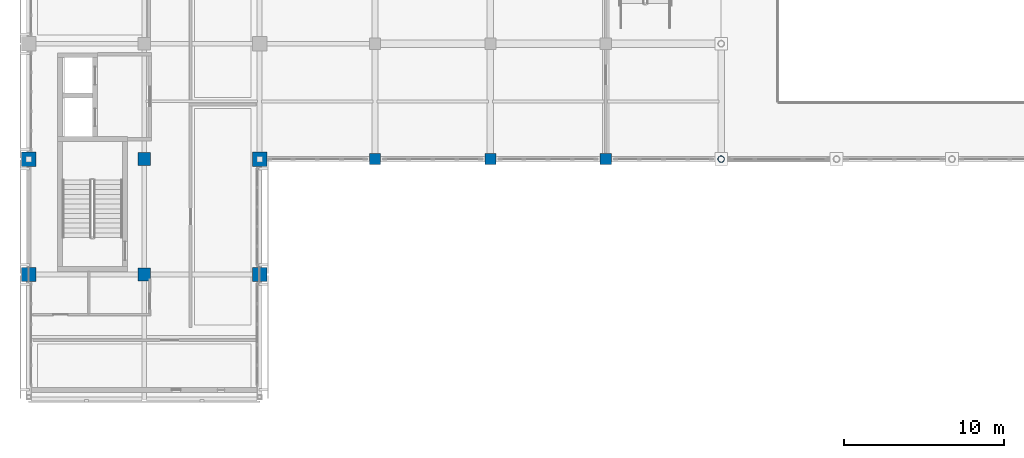
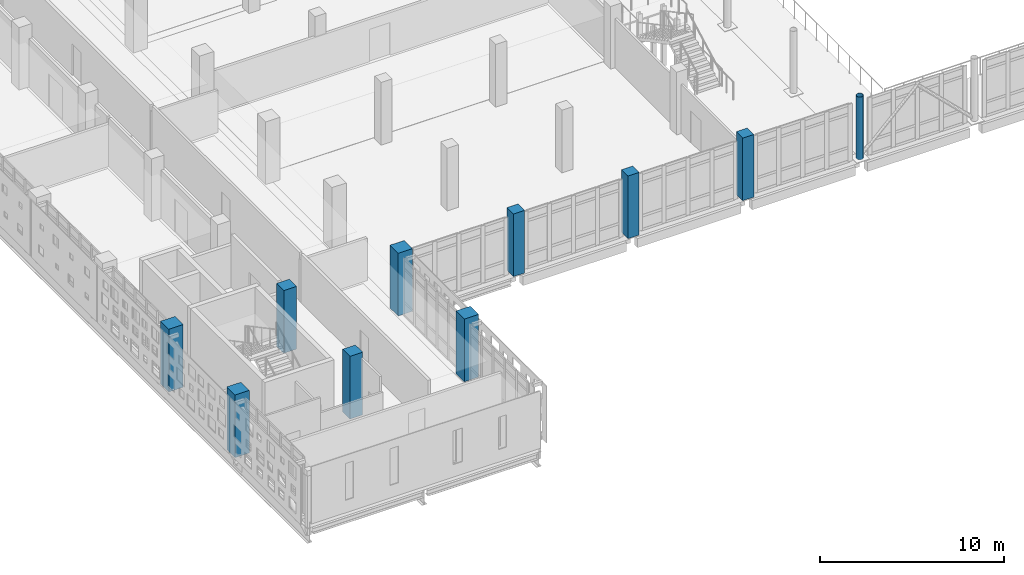
# One storey, part 1 of 62: 10 columns.
"""IFC4 building model written with IfcOpenShell, lengths in metres."""

from ifc_helpers import new_model, si_unit, direction, frame, origin, origin_2d, place, context, subcontext, project, spatial, rectangle, hollow_circle, extrude, material, material_profile, profile_set, type_object, element, save


model = new_model("IFC4")

# Units and contexts
model_context = context("Model", 3, precision=1e-05, world=origin(), true_north=direction((0.0, 1.0)))
body_context = subcontext(model_context, "Body", "Model", "MODEL_VIEW")
ifc_project = project(units=[si_unit("LENGTHUNIT", "METRE"), si_unit("AREAUNIT", "SQUARE_METRE"), si_unit("VOLUMEUNIT", "CUBIC_METRE"), si_unit("PLANEANGLEUNIT", "RADIAN"), si_unit("MASSUNIT", "GRAM", prefix="KILO")], contexts=[model_context])

# Site, building, storey
site_placement = place(None, origin())
site = spatial("IfcSite", under=ifc_project, at=site_placement, CompositionType="ELEMENT")
building_placement = place(site_placement, origin())
building = spatial("IfcBuilding", under=site, at=building_placement, Name="Valkovuoma Quantum and Materials Research Institute", CompositionType="ELEMENT")
storey_placement = place(building_placement, frame((0.0, 0.0, 8.9599609375)))
storey = spatial("IfcBuildingStorey", under=building, at=storey_placement, Name="L02", CompositionType="ELEMENT", Elevation=8.9599609375)

# Columns
ifc_material_1 = material(Name="Steel S355J2H", Category="steel")
ifc_material_profile_1 = material_profile(ifc_material_1, hollow_circle(Radius=0.203125, WallThickness=0.01611328125, at=origin_2d()), Name="Steel S355J2H")
ifc_profile_set_1 = profile_set([ifc_material_profile_1], Name="Steel S355J2H")
column_type_1 = type_object("IfcColumnType", Name="Col-C-CHS406", PredefinedType="COLUMN", material=ifc_profile_set_1)
column_placement = place(storey_placement, frame((43.199951171875, 36.0, 0.0), z_axis=(0.0, 0.0, 1.0), x_axis=(1.0, 0.0, 0.0)))
element("IfcColumn", 1, at=column_placement, inside=storey, type_object=column_type_1, Name="L02 column 07F", PredefinedType="COLUMN", context=body_context, shape_type="SweptSolid", body=[
    extrude(hollow_circle(Radius=0.203125, WallThickness=0.01611328125, at=origin_2d()), origin(), (0.0, 0.0, 1.0), 4.16015625),
])
ifc_material_2 = material(Name="Concrete C40/50", Category="concrete")
ifc_material_profile_2 = material_profile(ifc_material_2, rectangle(XDim=0.699951171875, YDim=0.699951171875, at=origin_2d()), Name="Concrete C40/50")
ifc_profile_set_2 = profile_set([ifc_material_profile_2], Name="Concrete C40/50")
column_type_2 = type_object("IfcColumnType", Name="Col-C-RC700", PredefinedType="COLUMN", material=ifc_profile_set_2)
for number, where, z_axis, x_axis, name in (
    (2, (21.60009765625, 36.0, 0.0), (0.0, 0.0, 1.0), (1.0, 0.0, 0.0), "L02 column 04F"),
    (3, (28.800048828125, 36.0, 0.0), (0.0, 0.0, 1.0), (1.0, 0.0, 0.0), "L02 column 05F"),
    (4, (36.0, 36.0, 0.0), (0.0, 0.0, 1.0), (1.0, 0.0, 0.0), "L02 column 06F"),
):
    element("IfcColumn", number, at=place(storey_placement, frame(where, z_axis=z_axis, x_axis=x_axis)), inside=storey, type_object=column_type_2, Name=name, PredefinedType="COLUMN", context=body_context, shape_type="SweptSolid", body=[
        extrude(rectangle(XDim=0.699951171875, YDim=0.699951171875, at=origin_2d()), origin(), (0.0, 0.0, 1.0), 4.16015625),
    ])
ifc_material_3 = material(Name="Concrete C50/60", Category="concrete")
ifc_material_profile_3 = material_profile(ifc_material_3, rectangle(XDim=0.800048828125, YDim=0.800048828125, at=origin_2d()), Name="Concrete C50/60")
ifc_profile_set_3 = profile_set([ifc_material_profile_3], Name="Concrete C50/60")
column_type_3 = type_object("IfcColumnType", Name="Col-C-RC800", PredefinedType="COLUMN", material=ifc_profile_set_3)
for number, where, z_axis, x_axis, name in (
    (5, (7.199951171875, 28.800048828125, 0.0), (0.0, 0.0, 1.0), (1.0, 0.0, 0.0), "L02 column 02E"),
    (6, (7.199951171875, 36.0, 0.0), (0.0, 0.0, 1.0), (1.0, 0.0, 0.0), "L02 column 02F"),
):
    element("IfcColumn", number, at=place(storey_placement, frame(where, z_axis=z_axis, x_axis=x_axis)), inside=storey, type_object=column_type_3, Name=name, PredefinedType="COLUMN", context=body_context, shape_type="SweptSolid", body=[
        extrude(rectangle(XDim=0.800048828125, YDim=0.800048828125, at=origin_2d()), origin(), (0.0, 0.0, 1.0), 4.16015625),
    ])
ifc_material_4 = material(Name="Concrete C50/60", Category="concrete")
ifc_material_profile_4 = material_profile(ifc_material_4, rectangle(XDim=0.89990234375, YDim=0.89990234375, at=origin_2d()), Name="Concrete C50/60")
ifc_profile_set_4 = profile_set([ifc_material_profile_4], Name="Concrete C50/60")
column_type_4 = type_object("IfcColumnType", Name="Col-C-RC900", PredefinedType="COLUMN", material=ifc_profile_set_4)
for number, where, z_axis, x_axis, name in (
    (7, (0.0, 28.800048828125, 0.0), (0.0, 0.0, 1.0), (1.0, 0.0, 0.0), "L02 column 01E"),
    (8, (0.0, 36.0, 0.0), (0.0, 0.0, 1.0), (1.0, 0.0, 0.0), "L02 column 01F"),
    (9, (14.39990234375, 28.800048828125, 0.0), (0.0, 0.0, 1.0), (1.0, 0.0, 0.0), "L02 column 03E"),
    (10, (14.39990234375, 36.0, 0.0), (0.0, 0.0, 1.0), (1.0, 0.0, 0.0), "L02 column 03F"),
):
    element("IfcColumn", number, at=place(storey_placement, frame(where, z_axis=z_axis, x_axis=x_axis)), inside=storey, type_object=column_type_4, Name=name, PredefinedType="COLUMN", context=body_context, shape_type="SweptSolid", body=[
        extrude(rectangle(XDim=0.89990234375, YDim=0.89990234375, at=origin_2d()), origin(), (0.0, 0.0, 1.0), 4.16015625),
    ])

save(model, "model.ifc")
